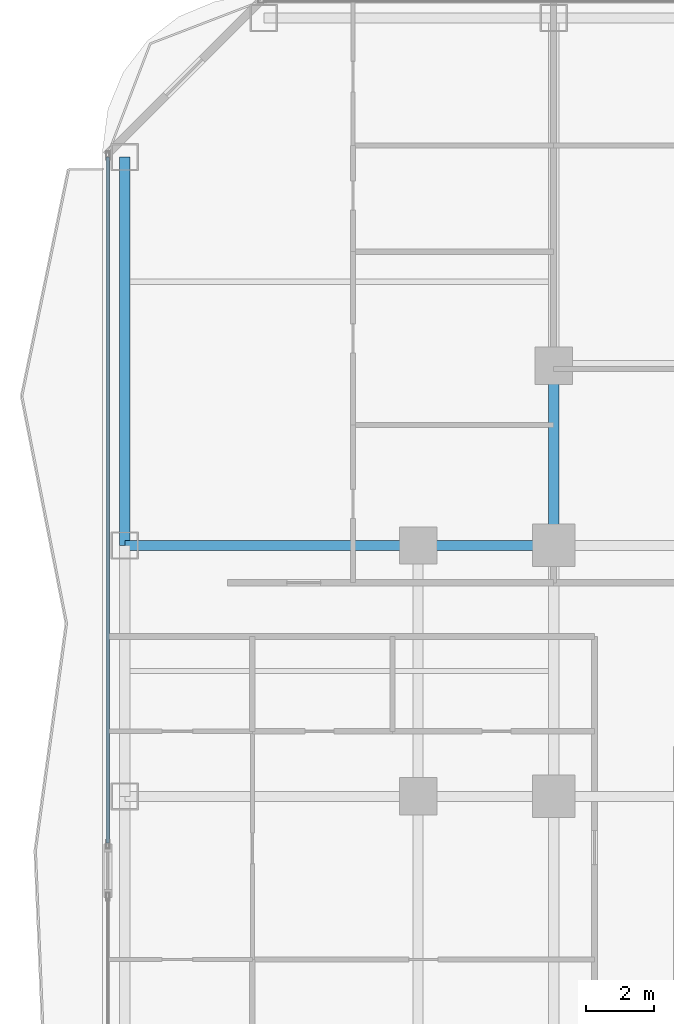
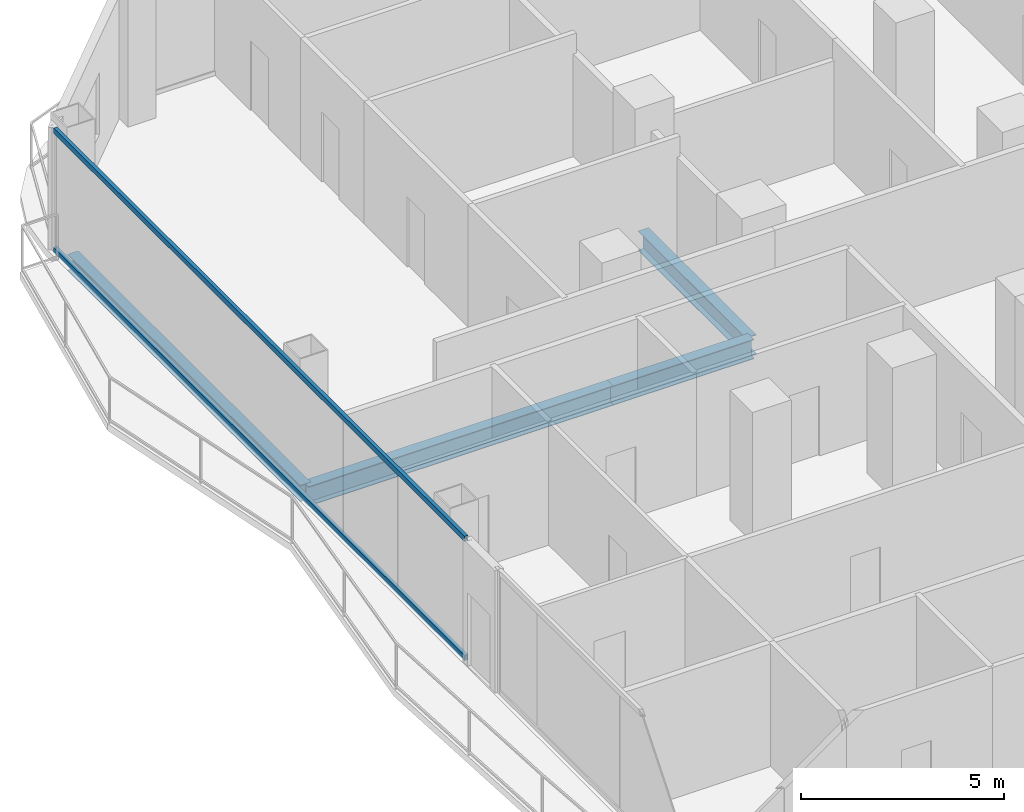
# One storey, part 12 of 27: 4 beams, 2 members, 1 element without a shape of its own.
"""IFC4 building model written with IfcOpenShell, lengths in metres."""

from ifc_helpers import new_model, si_unit, direction, frame, origin, origin_2d, place, context, subcontext, project, spatial, hollow_rectangle, i_section, extrude, material, layer, layer_set, material_profile, profile_set, type_object, element, aggregate, save


model = new_model("IFC4")

# Units and contexts
model_context = context("Model", 3, precision=1e-05, world=origin(), true_north=direction((0.0, 1.0)))
body_context = subcontext(model_context, "Body", "Model", "MODEL_VIEW")
ifc_project = project(units=[si_unit("LENGTHUNIT", "METRE"), si_unit("AREAUNIT", "SQUARE_METRE"), si_unit("VOLUMEUNIT", "CUBIC_METRE"), si_unit("PLANEANGLEUNIT", "RADIAN"), si_unit("MASSUNIT", "GRAM", prefix="KILO")], contexts=[model_context])

# Site, building, storey
site_placement = place(None, origin())
site = spatial("IfcSite", under=ifc_project, at=site_placement, CompositionType="ELEMENT")
building_placement = place(site_placement, origin())
building = spatial("IfcBuilding", under=site, at=building_placement, Name="Khorvyn Point Tower", CompositionType="ELEMENT")
storey_placement = place(building_placement, frame((0.0, 0.0, 96.89990234375)))
storey = spatial("IfcBuildingStorey", under=building, at=storey_placement, Name="L24", CompositionType="ELEMENT", Elevation=96.89990234375)

# Curtain wall, members
ifc_material_1 = material(Name="Anodised aluminium 6063-T6 and laminated Low-E glass", Category="aluminium")
ifc_layer = layer(ifc_material_1, 0.18994140625)
ifc_layer_set = layer_set([ifc_layer], Name="Stick-Built Finned Residential Curtain Wall CW-SYS-02")
curtain_wall_type = type_object("IfcCurtainWallType", Name="Stick-Built Finned Residential Curtain Wall CW-SYS-02", PredefinedType="NOTDEFINED", material=ifc_layer_set)
curtain_wall_placement = place(storey_placement, origin())
curtain_wall = element("IfcCurtainWall", 1, at=curtain_wall_placement, inside=storey, type_object=curtain_wall_type, Name="Curtain Wall", PredefinedType="NOTDEFINED")
ifc_material_2 = material(Name="Anodised aluminium 6063-T6", Category="aluminium")
ifc_material_profile_1 = material_profile(ifc_material_2, hollow_rectangle(XDim=0.10009765625, YDim=0.159912109375, WallThickness=0.00439453125, at=origin_2d()))
ifc_profile_set_1 = profile_set([ifc_material_profile_1], Name="Anodised aluminium 6063-T6 ALU-TRN-100x160")
member_type = type_object("IfcMemberType", Name="Anodised Aluminium 6063-T6 Transom ALU-TRN-100x160", PredefinedType="USERDEFINED", material=ifc_profile_set_1)
member_1_placement = place(storey_placement, frame((-27.949951171875, 6.030029296875, 0.050048828125), z_axis=(0.0, 1.0, 0.0), x_axis=(-1.0, 0.0, 0.0)))
member_1 = element("IfcMember", 2, at=member_1_placement, type_object=member_type, Name="Transom", ObjectType="TRANSOM", PredefinedType="USERDEFINED", context=body_context, shape_type="SweptSolid", body=[
    extrude(hollow_rectangle(XDim=0.10009765625, YDim=0.159912109375, WallThickness=0.00439453125, at=origin_2d()), origin(), (0.0, 0.0, 1.0), 20.219970703125),
])
member_2_placement = place(storey_placement, frame((-27.949951171875, 6.030029296875, 3.630126953125), z_axis=(0.0, 1.0, 0.0), x_axis=(-1.0, 0.0, 0.0)))
member_2 = element("IfcMember", 3, at=member_2_placement, type_object=member_type, Name="Transom", ObjectType="TRANSOM", PredefinedType="USERDEFINED", context=body_context, shape_type="SweptSolid", body=[
    extrude(hollow_rectangle(XDim=0.10009765625, YDim=0.159912109375, WallThickness=0.00439453125, at=origin_2d()), origin(), (0.0, 0.0, 1.0), 20.219970703125),
])
aggregate(curtain_wall, [member_1, member_2])

# Beams
ifc_material_3 = material(Name="Steel S355", Category="steel")
ifc_material_profile_2 = material_profile(ifc_material_3, i_section(OverallWidth=0.300048828125, OverallDepth=0.587890625, WebThickness=0.011962890625, FlangeThickness=0.02001953125, at=origin_2d()))
ifc_profile_set_2 = profile_set([ifc_material_profile_2], Name="Steel S355 H588x300x12x20")
beam_type_1 = type_object("IfcBeamType", Name="Steel S355 Beam H588x300x12x20", PredefinedType="BEAM", material=ifc_profile_set_2)
beam_1_placement = place(storey_placement, frame((-27.449951171875, 14.800048828125, -0.513916015625), z_axis=(1.0, 0.0, 0.0), x_axis=(0.0, 1.0, 0.0)))
element("IfcBeam", 4, at=beam_1_placement, inside=storey, type_object=beam_type_1, Name="Beam", PredefinedType="BEAM", context=body_context, shape_type="SweptSolid", body=[
    extrude(i_section(OverallWidth=0.300048828125, OverallDepth=0.587890625, WebThickness=0.011962890625, FlangeThickness=0.02001953125, at=origin_2d()), origin(), (0.0, 0.0, 1.0), 8.64990234375),
])
beam_2_placement = place(storey_placement, frame((-18.800048828125, 14.800048828125, -0.513916015625), z_axis=(1.0, 0.0, 0.0), x_axis=(0.0, 1.0, 0.0)))
element("IfcBeam", 5, at=beam_2_placement, inside=storey, type_object=beam_type_1, Name="Beam", PredefinedType="BEAM", context=body_context, shape_type="SweptSolid", body=[
    extrude(i_section(OverallWidth=0.300048828125, OverallDepth=0.587890625, WebThickness=0.011962890625, FlangeThickness=0.02001953125, at=origin_2d()), origin(), (0.0, 0.0, 1.0), 4.0),
])
beam_3_placement = place(storey_placement, frame((-14.800048828125, 14.800048828125, -0.513916015625), z_axis=(0.0, 1.0, 0.0), x_axis=(-1.0, 0.0, 0.0)))
element("IfcBeam", 6, at=beam_3_placement, inside=storey, type_object=beam_type_1, Name="Beam", PredefinedType="BEAM", context=body_context, shape_type="SweptSolid", body=[
    extrude(i_section(OverallWidth=0.300048828125, OverallDepth=0.587890625, WebThickness=0.011962890625, FlangeThickness=0.02001953125, at=origin_2d()), origin(), (0.0, 0.0, 1.0), 5.300048828125),
])
ifc_material_profile_3 = material_profile(ifc_material_3, i_section(OverallWidth=0.300048828125, OverallDepth=0.488037109375, WebThickness=0.010986328125, FlangeThickness=0.01806640625, at=origin_2d()))
ifc_profile_set_3 = profile_set([ifc_material_profile_3], Name="Steel S355 H488x300x11x18")
beam_type_2 = type_object("IfcBeamType", Name="Steel S355 Spandrel H488x300x11x18", PredefinedType="SPANDREL", material=ifc_profile_set_3)
beam_4_placement = place(storey_placement, frame((-27.449951171875, 14.800048828125, -0.4638671875), z_axis=(0.0, 1.0, 0.0), x_axis=(-1.0, 0.0, 0.0)))
element("IfcBeam", 7, at=beam_4_placement, inside=storey, type_object=beam_type_2, Name="Beam", PredefinedType="SPANDREL", context=body_context, shape_type="SweptSolid", body=[
    extrude(i_section(OverallWidth=0.300048828125, OverallDepth=0.488037109375, WebThickness=0.010986328125, FlangeThickness=0.01806640625, at=origin_2d()), origin(), (0.0, 0.0, 1.0), 11.449951171875),
])

save(model, "model.ifc")
